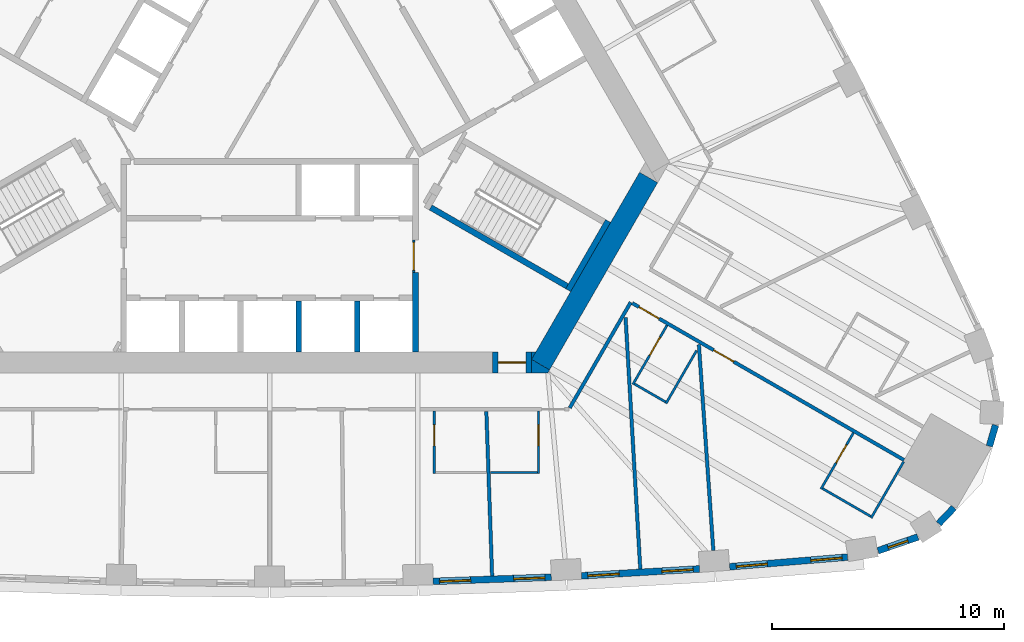
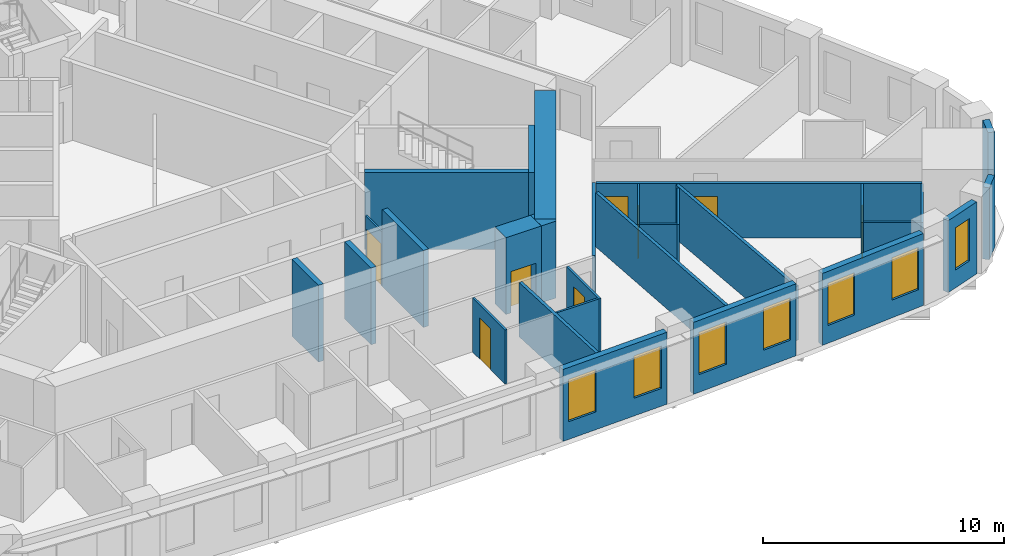
# One storey, part 7 of 13: 30 walls, 8 doors, 7 windows, 15 openings.
"""IFC4 building model written with IfcOpenShell, lengths in metres."""

import ifcopenshell
import ifcopenshell.guid

model = None  # the IFC model being written
_history = None  # IfcOwnerHistory: only IFC2X3 demands one
_inside = {}  # id of a spatial element -> (the spatial element, [elements in it])
_under = {}  # id of a project, library or spatial element -> (it, [spatial elements below it])
_declared = {}  # id of a project -> (the project, [libraries it declares])
_typed = {}  # id of a type object -> (the type object, [elements of that type])
_made_of = {}  # id of a material, layer set ... -> (it, [elements and type objects made of it])


def new_model(schema):
    """Start an empty IFC model of exactly this schema.

    Asked for "IFC4X3", IfcOpenShell would pick the latest addendum, in which some entities
    have other attributes; the version numbers below select the first issue.
    IFC2X3 requires an IfcOwnerHistory on every rooted entity: one is made here for all.
    """
    global model, _history
    if schema == "IFC4X3":
        model = ifcopenshell.file(schema_version=(4, 3, 0, 0))
    else:
        model = ifcopenshell.file(schema=schema)
    _inside.clear()
    _under.clear()
    _declared.clear()
    _typed.clear()
    _made_of.clear()
    _history = None
    if model.schema == "IFC2X3":
        org = make("IfcOrganization", Name="unknown")
        user = make(
            "IfcPersonAndOrganization",
            ThePerson=make("IfcPerson", FamilyName="unknown"),
            TheOrganization=org,
        )
        app = make(
            "IfcApplication",
            ApplicationDeveloper=org,
            Version="unknown",
            ApplicationFullName="unknown",
            ApplicationIdentifier="unknown",
        )
        _history = make(
            "IfcOwnerHistory",
            OwningUser=user,
            OwningApplication=app,
            ChangeAction="ADDED",
            CreationDate=0,
        )
    return model


def make(cls, **values):
    """One entity of the class cls with the attributes given. An attribute that is None is left unset."""
    return model.create_entity(
        cls, **{name: value for name, value in values.items() if value is not None}
    )


def rooted(cls, **values):
    """An entity with a GlobalId (a new one), such as an element, a storey or a relation."""
    return make(cls, GlobalId=ifcopenshell.guid.new(), OwnerHistory=_history, **values)


def si_unit(unit_type, name, prefix=None):
    """IfcSIUnit, for example si_unit("LENGTHUNIT", "METRE", prefix="MILLI")."""
    return make("IfcSIUnit", UnitType=unit_type, Prefix=prefix, Name=name)


def assignment(units):
    """IfcUnitAssignment: the units of a project."""
    return None if units is None else make("IfcUnitAssignment", Units=units)


def point(xyz):
    """IfcCartesianPoint."""
    return None if xyz is None else make("IfcCartesianPoint", Coordinates=xyz)


def direction(xyz):
    """IfcDirection."""
    return None if xyz is None else make("IfcDirection", DirectionRatios=xyz)


def frame(location, z_axis=None, x_axis=None):
    """IfcAxis2Placement3D, a coordinate frame: its origin and axes. An axis left out is left unset."""
    return make(
        "IfcAxis2Placement3D",
        Location=point(location),
        Axis=direction(z_axis),
        RefDirection=direction(x_axis),
    )


def frame_2d(location, x_axis=None):
    """IfcAxis2Placement2D, a coordinate frame in the plane: its origin and x axis."""
    return make(
        "IfcAxis2Placement2D", Location=point(location), RefDirection=direction(x_axis)
    )


def origin():
    """The frame at (0, 0, 0) with its axes left unset."""
    return frame((0.0, 0.0, 0.0))


def place(relative_to, where):
    """IfcLocalPlacement: puts the frame where relative to a parent placement (None: the world)."""
    return make(
        "IfcLocalPlacement", PlacementRelTo=relative_to, RelativePlacement=where
    )


def context(
    kind, dimensions, precision=None, world=None, true_north=None, identifier=None
):
    """IfcGeometricRepresentationContext, for example the 3D "Model" context."""
    return make(
        "IfcGeometricRepresentationContext",
        ContextIdentifier=identifier,
        ContextType=kind,
        CoordinateSpaceDimension=dimensions,
        Precision=precision,
        WorldCoordinateSystem=world,
        TrueNorth=true_north,
    )


def subcontext(parent, identifier, kind, view, scale=None):
    """IfcGeometricRepresentationSubContext, for example "Body" below "Model"."""
    return make(
        "IfcGeometricRepresentationSubContext",
        ContextIdentifier=identifier,
        ContextType=kind,
        ParentContext=parent,
        TargetScale=scale,
        TargetView=view,
    )


def project(units=None, contexts=None):
    """IfcProject with its units and contexts."""
    return rooted(
        "IfcProject",
        Name="project",
        RepresentationContexts=contexts,
        UnitsInContext=assignment(units),
    )


def spatial(cls, under=None, at=None, **own):
    """A site, building, storey or space (cls), placed at a placement, below another one or the project."""
    s = rooted(cls, ObjectPlacement=at, **own)
    if under is not None:
        _under.setdefault(under.id(), (under, []))[1].append(s)
    return s


def polyline(points):
    """IfcPolyline through the points."""
    return make("IfcPolyline", Points=[point(p) for p in points])


def profile(cls, at=None, kind="AREA", **sizes):
    """A parametric profile (cls). Its sizes go by their IFC names, for example OverallWidth=200.0."""
    return make(cls, ProfileType=kind, Position=at, **sizes)


def rectangle(**sizes):
    """IfcRectangleProfileDef."""
    return profile("IfcRectangleProfileDef", **sizes)


def outline(outer, holes=None, kind="AREA"):
    """IfcArbitraryClosedProfileDef: a profile drawn as a closed curve; with holes, ...WithVoids."""
    if holes is None:
        return make("IfcArbitraryClosedProfileDef", ProfileType=kind, OuterCurve=outer)
    return make(
        "IfcArbitraryProfileDefWithVoids",
        ProfileType=kind,
        OuterCurve=outer,
        InnerCurves=holes,
    )


def extrude(swept, where, along, depth):
    """IfcExtrudedAreaSolid: the profile swept, set in the frame where, extruded along a direction by depth."""
    return make(
        "IfcExtrudedAreaSolid",
        SweptArea=swept,
        Position=where,
        ExtrudedDirection=direction(along),
        Depth=depth,
    )


def shape(context_of_items, identifier, shape_type, items):
    """IfcShapeRepresentation: the items that make up one representation, for example the "Body"."""
    return make(
        "IfcShapeRepresentation",
        ContextOfItems=context_of_items,
        RepresentationIdentifier=identifier,
        RepresentationType=shape_type,
        Items=items,
    )


def material(Name=None, Category=None):
    """IfcMaterial."""
    return make("IfcMaterial", Name=Name, Category=Category)


def layer(
    of_material, thickness, ventilated=None, Name=None, Category=None, Priority=None
):
    """IfcMaterialLayer: one layer of a wall or slab, of a material (None: an air gap)."""
    return make(
        "IfcMaterialLayer",
        Material=of_material,
        LayerThickness=thickness,
        IsVentilated=ventilated,
        Name=Name,
        Category=Category,
        Priority=Priority,
    )


def layer_set(layers, Name=None):
    """IfcMaterialLayerSet."""
    return make("IfcMaterialLayerSet", MaterialLayers=layers, LayerSetName=Name)


def made_of(thing, what):
    """Note that an element or type object is made of a material, layer set ...; save() writes the relation."""
    if what is not None:
        _made_of.setdefault(what.id(), (what, []))[1].append(thing)
    return thing


def type_object(cls, material=None, **own):
    """A type object (cls), such as IfcWallType, which elements share."""
    return made_of(rooted(cls, **own), material)


def element(
    cls,
    number,
    at=None,
    inside=None,
    cuts=None,
    type_object=None,
    material=None,
    context=None,
    identifier="Body",
    shape_type=None,
    held_by="IfcProductDefinitionShape",
    body=None,
    shapes=None,
    **own,
):
    """One element of the class cls, such as IfcWall. Its Tag is "e" and its number.

    at: its placement. inside: the storey or other place that contains it. cuts: it is an
    opening in that element (IfcRelVoidsElement). A single representation is given by context,
    identifier, shape_type and body (its items); several are given by shapes. held_by: the class
    of the entity that holds the representations. save() writes the other relations.
    """
    e = rooted(cls, Tag="e%d" % number, ObjectPlacement=at, **own)
    if body is not None:
        shapes = [shape(context, identifier, shape_type, body)]
    if shapes is not None:
        e.Representation = make(held_by, Representations=shapes)
    if inside is not None:
        _inside.setdefault(inside.id(), (inside, []))[1].append(e)
    if cuts is not None:
        rooted(
            "IfcRelVoidsElement", RelatingBuildingElement=cuts, RelatedOpeningElement=e
        )
    if type_object is not None:
        _typed.setdefault(type_object.id(), (type_object, []))[1].append(e)
    return made_of(e, material)


def fill(opening, filler):
    """IfcRelFillsElement: the door or window that sits in an opening."""
    return rooted(
        "IfcRelFillsElement",
        RelatingOpeningElement=opening,
        RelatedBuildingElement=filler,
    )


def aggregate(whole, parts):
    """IfcRelAggregates: a whole, such as a stair, and the parts it consists of."""
    return rooted("IfcRelAggregates", RelatingObject=whole, RelatedObjects=parts)


def save(model, path):
    """Write the relations noted so far, then the file.

    IfcRelAggregates (storeys below a building ...), IfcRelContainedInSpatialStructure (elements
    in a storey), IfcRelDefinesByType, IfcRelAssociatesMaterial and IfcRelDeclares: one each for
    every whole, place, type object, material and project.
    """
    for whole, parts in _under.values():
        aggregate(whole, parts)
    for where, things in _inside.values():
        rooted(
            "IfcRelContainedInSpatialStructure",
            RelatedElements=things,
            RelatingStructure=where,
        )
    for kind, things in _typed.values():
        rooted("IfcRelDefinesByType", RelatedObjects=things, RelatingType=kind)
    for what, things in _made_of.values():
        rooted("IfcRelAssociatesMaterial", RelatedObjects=things, RelatingMaterial=what)
    for by, libraries in _declared.values():
        rooted("IfcRelDeclares", RelatingContext=by, RelatedDefinitions=libraries)
    model.write(path)


model = new_model("IFC4")

# Units and contexts
model_context = context("Model", 3, precision=1e-05, world=origin(), true_north=direction((0.0, 1.0)))
body_context = subcontext(model_context, "Body", "Model", "MODEL_VIEW")
ifc_project = project(units=[si_unit("LENGTHUNIT", "METRE"), si_unit("AREAUNIT", "SQUARE_METRE"), si_unit("VOLUMEUNIT", "CUBIC_METRE"), si_unit("PLANEANGLEUNIT", "RADIAN"), si_unit("MASSUNIT", "GRAM", prefix="KILO")], contexts=[model_context])

# Site, building, storey
site_placement = place(None, origin())
site = spatial("IfcSite", under=ifc_project, at=site_placement, CompositionType="ELEMENT")
building_placement = place(site_placement, origin())
building = spatial("IfcBuilding", under=site, at=building_placement, Name="Mestral Congress Tower", CompositionType="ELEMENT")
storey_placement = place(building_placement, frame((0.0, 0.0, 83.699951171875)))
storey = spatial("IfcBuildingStorey", under=building, at=storey_placement, Name="L19", CompositionType="ELEMENT", Elevation=83.699951171875)

# Wall, opening, door
ifc_material_1 = material(Name="Fire-rated board partition")
ifc_layer_1 = layer(ifc_material_1, 0.090087890625)
ifc_layer_set_1 = layer_set([ifc_layer_1], Name="Fire-rated board partition")
wall_type_1 = type_object("IfcWallType", Name="Core partition 150 door-wall 90", PredefinedType="PARTITIONING", material=ifc_layer_set_1)
wall_1_placement = place(storey_placement, frame((6.219970703125, -7.266357421875, 0.0), z_axis=(0.0, 0.0, 1.0), x_axis=(0.0, -1.0, 0.0)))
wall_1 = element("IfcWall", 1, at=wall_1_placement, inside=storey, type_object=wall_type_1, Name="L19 door wall", PredefinedType="PARTITIONING", context=body_context, shape_type="SweptSolid", body=[
    extrude(rectangle(XDim=1.400146484375, YDim=0.090087890625, at=frame_2d((0.7001953125, 0.0))), origin(), (0.0, 0.0, 1.0), 2.75),
])
opening_1_placement = place(wall_1_placement, frame((0.10009765625, 0.0, 0.0)))
opening_1 = element("IfcOpeningElement", 2, at=opening_1_placement, cuts=wall_1, Name="Opening LB0-WL1", PredefinedType="OPENING", context=body_context, shape_type="SweptSolid", body=[
    extrude(rectangle(XDim=1.199951171875, YDim=2.10009765625, at=frame_2d((0.60009765625, 1.050048828125))), frame((0.0, 0.054931640625, 0.0), z_axis=(0.0, -1.0, 0.0), x_axis=(1.0, 0.0, 0.0)), (0.0, 0.0, 1.0), 0.110107421875),
])
ifc_material_2 = material(Name="Fire-rated steel door set", Category="steel")
door_type_1 = type_object("IfcDoorType", Name="Core door LB 1200x2100", OperationType="SINGLE_SWING_LEFT", PredefinedType="DOOR", material=ifc_material_2)
door_1_placement = place(opening_1_placement, origin())
door_1 = element("IfcDoor", 3, at=door_1_placement, inside=storey, type_object=door_type_1, Name="Door LB0-WL1", OperationType="SINGLE_SWING_LEFT", OverallHeight=2.10009765625, OverallWidth=1.199951171875, PredefinedType="DOOR", context=body_context, shape_type="SweptSolid", body=[
    extrude(rectangle(XDim=1.199951171875, YDim=2.10009765625, at=frame_2d((0.60009765625, 1.050048828125))), frame((0.0, 0.02490234375, 0.0), z_axis=(0.0, -1.0, 0.0), x_axis=(1.0, 0.0, 0.0)), (0.0, 0.0, 1.0), 0.050048828125),
])
fill(opening_1, door_1)

# Walls
ifc_material_3 = material(Name="Concrete C60/75", Category="concrete")
ifc_layer_2 = layer(ifc_material_3, 0.89990234375)
ifc_layer_set_2 = layer_set([ifc_layer_2], Name="Concrete C60/75")
wall_type_2 = type_object("IfcWallType", Name="Core wall RC 900", PredefinedType="SOLIDWALL", material=ifc_layer_set_2)
wall_2_placement = place(storey_placement, frame((11.69482421875, -12.643798828125, 0.0), z_axis=(0.0, 0.0, 1.0), x_axis=(0.500010229568, 0.86601949766, 0.0)))
element("IfcWall", 4, at=wall_2_placement, inside=storey, type_object=wall_type_2, Name="L19 core wall", PredefinedType="SOLIDWALL", context=body_context, shape_type="SweptSolid", body=[
    extrude(rectangle(XDim=9.326416015625, YDim=0.89990234375, at=frame_2d((4.6630859375, 0.0))), origin(), (0.0, 0.0, 1.0), 3.900146484375),
])
placement = place(storey_placement, origin())
element("IfcWall", 5, at=placement, inside=storey, type_object=wall_type_2, Name="L19 core wall", PredefinedType="SOLIDWALL", context=body_context, shape_type="SweptSolid", body=[
    extrude(outline(polyline([(12.0087890625, -13.0), (11.31201171875, -13.0), (11.31201171875, -12.425048828125), (12.08349609375, -12.87060546875), (12.0087890625, -13.0)])), origin(), (0.0, 0.0, 1.0), 3.900146484375),
])
element("IfcWall", 6, at=placement, inside=storey, type_object=wall_type_2, Name="L19 core wall", PredefinedType="SOLIDWALL", context=body_context, shape_type="SweptSolid", body=[
    extrude(outline(polyline([(11.4892578125, -12.10009765625), (11.31201171875, -12.4072265625), (11.31201171875, -12.10009765625), (11.4892578125, -12.10009765625)])), origin(), (0.0, 0.0, 1.0), 3.900146484375),
])

# Wall, opening, door
wall_5_placement = place(storey_placement, frame((11.311767578125, -12.550048828125, 0.0), z_axis=(0.0, 0.0, 1.0), x_axis=(-1.0, 0.0, 0.0)))
wall_5 = element("IfcWall", 7, at=wall_5_placement, inside=storey, type_object=wall_type_2, Name="L19 door wall", PredefinedType="SOLIDWALL", context=body_context, shape_type="SweptSolid", body=[
    extrude(rectangle(XDim=1.699951171875, YDim=0.89990234375, at=frame_2d((0.85009765625, 0.0))), origin(), (0.0, 0.0, 1.0), 3.900146484375),
])
opening_2_placement = place(wall_5_placement, frame((0.25, 0.0, 0.0)))
opening_2 = element("IfcOpeningElement", 8, at=opening_2_placement, cuts=wall_5, Name="Opening XD1", PredefinedType="OPENING", context=body_context, shape_type="SweptSolid", body=[
    extrude(rectangle(XDim=1.199951171875, YDim=2.10009765625, at=frame_2d((0.60009765625, 1.050048828125))), frame((0.0, 0.4599609375, 0.0), z_axis=(0.0, -1.0, 0.0), x_axis=(1.0, 0.0, 0.0)), (0.0, 0.0, 1.0), 0.919921875),
])
door_type_2 = type_object("IfcDoorType", Name="Core door XD 1200x2100", OperationType="SINGLE_SWING_LEFT", PredefinedType="DOOR", material=ifc_material_2)
door_2_placement = place(opening_2_placement, origin())
door_2 = element("IfcDoor", 9, at=door_2_placement, inside=storey, type_object=door_type_2, Name="Door XD1", OperationType="SINGLE_SWING_LEFT", OverallHeight=2.10009765625, OverallWidth=1.199951171875, PredefinedType="DOOR", context=body_context, shape_type="SweptSolid", body=[
    extrude(rectangle(XDim=1.199951171875, YDim=2.10009765625, at=frame_2d((0.60009765625, 1.050048828125))), frame((0.0, 0.02490234375, 0.0), z_axis=(0.0, -1.0, 0.0), x_axis=(1.0, 0.0, 0.0)), (0.0, 0.0, 1.0), 0.050048828125),
])
fill(opening_2, door_2)

# Wall, openings, windows
ifc_material_4 = material(Name="Precast concrete C40/50 with limestone facing", Category="masonry")
ifc_layer_3 = layer(ifc_material_4, 0.2900390625)
ifc_layer_set_3 = layer_set([ifc_layer_3], Name="Precast concrete C40/50 with limestone facing")
wall_type_3 = type_object("IfcWallType", Name="Facade stone wall 290", PredefinedType="SOLIDWALL", material=ifc_layer_set_3)
wall_6_placement = place(storey_placement, frame((7.059326171875, -22.000732421875, 0.0), z_axis=(0.0, 0.0, 1.0), x_axis=(0.999385993957, 0.035037623812, 0.0)))
wall_6 = element("IfcWall", 10, at=wall_6_placement, inside=storey, type_object=wall_type_3, Name="Facade wall F0-05", PredefinedType="SOLIDWALL", context=body_context, shape_type="SweptSolid", body=[
    extrude(rectangle(XDim=5.1005859375, YDim=0.2900390625, at=frame_2d((2.55029296875, 0.0))), origin(), (0.0, 0.0, 1.0), 3.650146484375),
])
opening_3_placement = place(wall_6_placement, frame((0.272705078125, 0.0, 0.89990234375)))
opening_3 = element("IfcOpeningElement", 11, at=opening_3_placement, cuts=wall_6, Name="Opening W2", PredefinedType="OPENING", context=body_context, shape_type="SweptSolid", body=[
    extrude(rectangle(XDim=1.35009765625, YDim=2.14990234375, at=frame_2d((0.675048828125, 1.074951171875))), frame((0.0, 0.155029296875, 0.0), z_axis=(0.0, -1.0, 0.0), x_axis=(1.0, 0.0, 0.0)), (0.0, 0.0, 1.0), 0.31005859375),
])
opening_4_placement = place(wall_6_placement, frame((3.477783203125, 0.0, 0.89990234375)))
opening_4 = element("IfcOpeningElement", 12, at=opening_4_placement, cuts=wall_6, Name="Opening W2", PredefinedType="OPENING", context=body_context, shape_type="SweptSolid", body=[
    extrude(rectangle(XDim=1.35009765625, YDim=2.14990234375, at=frame_2d((0.675048828125, 1.074951171875))), frame((0.0, 0.155029296875, 0.0), z_axis=(0.0, -1.0, 0.0), x_axis=(1.0, 0.0, 0.0)), (0.0, 0.0, 1.0), 0.31005859375),
])
ifc_material_5 = material(Name="Clear low-emissivity double glazing", Category="glass")
window_type_1 = type_object("IfcWindowType", Name="Facade punched window 1350 x 2150 sill 900", PartitioningType="DOUBLE_PANEL_VERTICAL", PredefinedType="WINDOW", material=ifc_material_5)
window_1_placement = place(opening_3_placement, origin())
window_1 = element("IfcWindow", 13, at=window_1_placement, inside=storey, type_object=window_type_1, Name="Window F0-05a", OverallHeight=2.14990234375, OverallWidth=1.35009765625, PartitioningType="DOUBLE_PANEL_VERTICAL", PredefinedType="WINDOW", context=body_context, shape_type="SweptSolid", body=[
    extrude(rectangle(XDim=1.35009765625, YDim=2.14990234375, at=frame_2d((0.675048828125, 1.074951171875))), frame((0.0, 0.01513671875, 0.0), z_axis=(0.0, -1.0, 0.0), x_axis=(1.0, 0.0, 0.0)), (0.0, 0.0, 1.0), 0.06005859375),
])
fill(opening_3, window_1)
window_2_placement = place(opening_4_placement, origin())
window_2 = element("IfcWindow", 14, at=window_2_placement, inside=storey, type_object=window_type_1, Name="Window F0-05b", OverallHeight=2.14990234375, OverallWidth=1.35009765625, PartitioningType="DOUBLE_PANEL_VERTICAL", PredefinedType="WINDOW", context=body_context, shape_type="SweptSolid", body=[
    extrude(rectangle(XDim=1.35009765625, YDim=2.14990234375, at=frame_2d((0.675048828125, 1.074951171875))), frame((0.0, 0.01513671875, 0.0), z_axis=(0.0, -1.0, 0.0), x_axis=(1.0, 0.0, 0.0)), (0.0, 0.0, 1.0), 0.06005859375),
])
fill(opening_4, window_2)

wall_7_placement = place(storey_placement, frame((13.4619140625, -21.760986328125, 0.0), z_axis=(0.0, 0.0, 1.0), x_axis=(0.998290511436, 0.058447025388, 0.0)))
wall_7 = element("IfcWall", 15, at=wall_7_placement, inside=storey, type_object=wall_type_3, Name="Facade wall F0-06", PredefinedType="SOLIDWALL", context=body_context, shape_type="SweptSolid", body=[
    extrude(rectangle(XDim=5.100341796875, YDim=0.2900390625, at=frame_2d((2.55029296875, 0.0))), origin(), (0.0, 0.0, 1.0), 3.650146484375),
])
opening_5_placement = place(wall_7_placement, frame((0.2724609375, 0.0, 0.89990234375)))
opening_5 = element("IfcOpeningElement", 16, at=opening_5_placement, cuts=wall_7, Name="Opening W2", PredefinedType="OPENING", context=body_context, shape_type="SweptSolid", body=[
    extrude(rectangle(XDim=1.35009765625, YDim=2.14990234375, at=frame_2d((0.675048828125, 1.074951171875))), frame((0.0, 0.155029296875, 0.0), z_axis=(0.0, -1.0, 0.0), x_axis=(1.0, 0.0, 0.0)), (0.0, 0.0, 1.0), 0.31005859375),
])
opening_6_placement = place(wall_7_placement, frame((3.477783203125, 0.0, 0.89990234375)))
opening_6 = element("IfcOpeningElement", 17, at=opening_6_placement, cuts=wall_7, Name="Opening W2", PredefinedType="OPENING", context=body_context, shape_type="SweptSolid", body=[
    extrude(rectangle(XDim=1.35009765625, YDim=2.14990234375, at=frame_2d((0.675048828125, 1.074951171875))), frame((0.0, 0.155029296875, 0.0), z_axis=(0.0, -1.0, 0.0), x_axis=(1.0, 0.0, 0.0)), (0.0, 0.0, 1.0), 0.31005859375),
])
window_3_placement = place(opening_5_placement, origin())
window_3 = element("IfcWindow", 18, at=window_3_placement, inside=storey, type_object=window_type_1, Name="Window F0-06a", OverallHeight=2.14990234375, OverallWidth=1.35009765625, PartitioningType="DOUBLE_PANEL_VERTICAL", PredefinedType="WINDOW", context=body_context, shape_type="SweptSolid", body=[
    extrude(rectangle(XDim=1.35009765625, YDim=2.14990234375, at=frame_2d((0.675048828125, 1.074951171875))), frame((0.0, 0.01513671875, 0.0), z_axis=(0.0, -1.0, 0.0), x_axis=(1.0, 0.0, 0.0)), (0.0, 0.0, 1.0), 0.06005859375),
])
fill(opening_5, window_3)
window_4_placement = place(opening_6_placement, origin())
window_4 = element("IfcWindow", 19, at=window_4_placement, inside=storey, type_object=window_type_1, Name="Window F0-06b", OverallHeight=2.14990234375, OverallWidth=1.35009765625, PartitioningType="DOUBLE_PANEL_VERTICAL", PredefinedType="WINDOW", context=body_context, shape_type="SweptSolid", body=[
    extrude(rectangle(XDim=1.35009765625, YDim=2.14990234375, at=frame_2d((0.675048828125, 1.074951171875))), frame((0.0, 0.01513671875, 0.0), z_axis=(0.0, -1.0, 0.0), x_axis=(1.0, 0.0, 0.0)), (0.0, 0.0, 1.0), 0.06005859375),
])
fill(opening_6, window_4)

wall_8_placement = place(storey_placement, frame((19.856689453125, -21.37109375, 0.0), z_axis=(0.0, 0.0, 1.0), x_axis=(0.99665273362, 0.081751627308, 0.0)))
wall_8 = element("IfcWall", 20, at=wall_8_placement, inside=storey, type_object=wall_type_3, Name="Facade wall F0-07", PredefinedType="SOLIDWALL", context=body_context, shape_type="SweptSolid", body=[
    extrude(rectangle(XDim=5.106689453125, YDim=0.2900390625, at=frame_2d((2.55322265625, 0.0))), origin(), (0.0, 0.0, 1.0), 3.650146484375),
])
opening_7_placement = place(wall_8_placement, frame((0.285400390625, 0.0, 0.89990234375)))
opening_7 = element("IfcOpeningElement", 21, at=opening_7_placement, cuts=wall_8, Name="Opening W2", PredefinedType="OPENING", context=body_context, shape_type="SweptSolid", body=[
    extrude(rectangle(XDim=1.35009765625, YDim=2.14990234375, at=frame_2d((0.675048828125, 1.074951171875))), frame((0.0, 0.155029296875, 0.0), z_axis=(0.0, -1.0, 0.0), x_axis=(1.0, 0.0, 0.0)), (0.0, 0.0, 1.0), 0.31005859375),
])
opening_8_placement = place(wall_8_placement, frame((3.51611328125, 0.0, 0.89990234375)))
opening_8 = element("IfcOpeningElement", 22, at=opening_8_placement, cuts=wall_8, Name="Opening W2", PredefinedType="OPENING", context=body_context, shape_type="SweptSolid", body=[
    extrude(rectangle(XDim=1.35009765625, YDim=2.14990234375, at=frame_2d((0.675048828125, 1.074951171875))), frame((0.0, 0.155029296875, 0.0), z_axis=(0.0, -1.0, 0.0), x_axis=(1.0, 0.0, 0.0)), (0.0, 0.0, 1.0), 0.31005859375),
])
window_5_placement = place(opening_7_placement, origin())
window_5 = element("IfcWindow", 23, at=window_5_placement, inside=storey, type_object=window_type_1, Name="Window F0-07a", OverallHeight=2.14990234375, OverallWidth=1.35009765625, PartitioningType="DOUBLE_PANEL_VERTICAL", PredefinedType="WINDOW", context=body_context, shape_type="SweptSolid", body=[
    extrude(rectangle(XDim=1.35009765625, YDim=2.14990234375, at=frame_2d((0.675048828125, 1.074951171875))), frame((0.0, 0.01513671875, 0.0), z_axis=(0.0, -1.0, 0.0), x_axis=(1.0, 0.0, 0.0)), (0.0, 0.0, 1.0), 0.06005859375),
])
fill(opening_7, window_5)
window_6_placement = place(opening_8_placement, origin())
window_6 = element("IfcWindow", 24, at=window_6_placement, inside=storey, type_object=window_type_1, Name="Window F0-07b", OverallHeight=2.14990234375, OverallWidth=1.35009765625, PartitioningType="DOUBLE_PANEL_VERTICAL", PredefinedType="WINDOW", context=body_context, shape_type="SweptSolid", body=[
    extrude(rectangle(XDim=1.35009765625, YDim=2.14990234375, at=frame_2d((0.675048828125, 1.074951171875))), frame((0.0, 0.01513671875, 0.0), z_axis=(0.0, -1.0, 0.0), x_axis=(1.0, 0.0, 0.0)), (0.0, 0.0, 1.0), 0.06005859375),
])
fill(opening_8, window_6)

# Wall, opening, window
wall_9_placement = place(storey_placement, frame((26.260986328125, -20.67919921875, 0.0), z_axis=(0.0, 0.0, 1.0), x_axis=(0.945385815453, 0.325953462844, 0.0)))
wall_9 = element("IfcWall", 25, at=wall_9_placement, inside=storey, type_object=wall_type_3, Name="Facade wall K0-0", PredefinedType="SOLIDWALL", context=body_context, shape_type="SweptSolid", body=[
    extrude(rectangle(XDim=1.8193359375, YDim=0.2900390625, at=frame_2d((0.90966796875, 0.0))), origin(), (0.0, 0.0, 1.0), 3.650146484375),
])
opening_9_placement = place(wall_9_placement, frame((0.459716796875, 0.0, 0.89990234375)))
opening_9 = element("IfcOpeningElement", 26, at=opening_9_placement, cuts=wall_9, Name="Opening W3", PredefinedType="OPENING", context=body_context, shape_type="SweptSolid", body=[
    extrude(rectangle(XDim=0.89990234375, YDim=2.14990234375, at=frame_2d((0.449951171875, 1.074951171875))), frame((0.0, 0.155029296875, 0.0), z_axis=(0.0, -1.0, 0.0), x_axis=(1.0, 0.0, 0.0)), (0.0, 0.0, 1.0), 0.31005859375),
])
window_type_2 = type_object("IfcWindowType", Name="Facade punched window 900 x 2150 sill 900", PartitioningType="SINGLE_PANEL", PredefinedType="WINDOW", material=ifc_material_5)
window_7_placement = place(opening_9_placement, origin())
window_7 = element("IfcWindow", 27, at=window_7_placement, inside=storey, type_object=window_type_2, Name="Window K0-0", OverallHeight=2.14990234375, OverallWidth=0.89990234375, PartitioningType="SINGLE_PANEL", PredefinedType="WINDOW", context=body_context, shape_type="SweptSolid", body=[
    extrude(rectangle(XDim=0.89990234375, YDim=2.14990234375, at=frame_2d((0.449951171875, 1.074951171875))), frame((0.0, 0.01513671875, 0.0), z_axis=(0.0, -1.0, 0.0), x_axis=(1.0, 0.0, 0.0)), (0.0, 0.0, 1.0), 0.06005859375),
])
fill(opening_9, window_7)

# Walls
wall_10_placement = place(storey_placement, frame((28.88037109375, -19.50927734375, 0.0), z_axis=(0.0, 0.0, 1.0), x_axis=(0.690414427296, 0.723414071319, 0.0)))
element("IfcWall", 28, at=wall_10_placement, inside=storey, type_object=wall_type_3, Name="Facade wall K0-1", PredefinedType="SOLIDWALL", context=body_context, shape_type="SweptSolid", body=[
    extrude(rectangle(XDim=0.947021484375, YDim=0.2900390625, at=frame_2d((0.4736328125, 0.0))), origin(), (0.0, 0.0, 1.0), 3.650146484375),
])
wall_11_placement = place(storey_placement, frame((31.069091796875, -16.165283203125, 0.0), z_axis=(0.0, 0.0, 1.0), x_axis=(0.281454582132, 0.95957455062, 0.0)))
element("IfcWall", 29, at=wall_11_placement, inside=storey, type_object=wall_type_3, Name="Facade wall K0-2", PredefinedType="SOLIDWALL", context=body_context, shape_type="SweptSolid", body=[
    extrude(rectangle(XDim=0.947265625, YDim=0.2900390625, at=frame_2d((0.4736328125, 0.0))), origin(), (0.0, 0.0, 1.0), 3.650146484375),
])

# Wall, opening, door
ifc_material_6 = material(Name="Gypsum board partition on metal studs with mineral wool", Category="composite")
ifc_layer_4 = layer(ifc_material_6, 0.10009765625)
ifc_layer_set_4 = layer_set([ifc_layer_4], Name="Gypsum board partition on metal studs with mineral wool")
wall_type_4 = type_object("IfcWallType", Name="Hotel partition wall 100", PredefinedType="PARTITIONING", material=ifc_layer_set_4)
wall_12_placement = place(storey_placement, frame((7.100341796875, -14.64990234375, 0.0), z_axis=(0.0, 0.0, 1.0), x_axis=(0.0, -1.0, 0.0)))
wall_12 = element("IfcWall", 30, at=wall_12_placement, inside=storey, type_object=wall_type_4, Name="L19-h-pod06a", PredefinedType="PARTITIONING", context=body_context, shape_type="SweptSolid", body=[
    extrude(rectangle(XDim=2.7001953125, YDim=0.10009765625, at=frame_2d((1.35009765625, 0.0))), origin(), (0.0, 0.0, 1.0), 2.75),
])
opening_10_placement = place(wall_12_placement, frame((0.60009765625, 0.0, 0.0)))
opening_10 = element("IfcOpeningElement", 31, at=opening_10_placement, cuts=wall_12, Name="Opening H06-011", PredefinedType="OPENING", context=body_context, shape_type="SweptSolid", body=[
    extrude(rectangle(XDim=0.89990234375, YDim=2.10009765625, at=frame_2d((0.449951171875, 1.050048828125))), frame((0.0, 0.06005859375, 0.0), z_axis=(0.0, -1.0, 0.0), x_axis=(1.0, 0.0, 0.0)), (0.0, 0.0, 1.0), 0.1201171875),
])
ifc_material_7 = material(Name="Timber veneer door leaf in timber frame", Category="wood")
door_type_3 = type_object("IfcDoorType", Name="Bathroom door 900", OperationType="SINGLE_SWING_LEFT", PredefinedType="DOOR", material=ifc_material_7)
door_3_placement = place(opening_10_placement, origin())
door_3 = element("IfcDoor", 32, at=door_3_placement, inside=storey, type_object=door_type_3, Name="L19-h-d011", OperationType="SINGLE_SWING_RIGHT", OverallHeight=2.10009765625, OverallWidth=0.89990234375, PredefinedType="DOOR", context=body_context, shape_type="SweptSolid", body=[
    extrude(rectangle(XDim=0.89990234375, YDim=2.10009765625, at=frame_2d((0.449951171875, 1.050048828125))), frame((0.0, 0.02490234375, 0.0), z_axis=(0.0, -1.0, 0.0), x_axis=(1.0, 0.0, 0.0)), (0.0, 0.0, 1.0), 0.050048828125),
])
fill(opening_10, door_3)

wall_13_placement = place(storey_placement, frame((11.606689453125, -17.35009765625, 0.0), z_axis=(0.0, 0.0, 1.0), x_axis=(0.0, 1.0, 0.0)))
wall_13 = element("IfcWall", 33, at=wall_13_placement, inside=storey, type_object=wall_type_4, Name="L19-h-pod07a", PredefinedType="PARTITIONING", context=body_context, shape_type="SweptSolid", body=[
    extrude(rectangle(XDim=2.7001953125, YDim=0.10009765625, at=frame_2d((1.35009765625, 0.0))), origin(), (0.0, 0.0, 1.0), 2.75),
])
opening_11_placement = place(wall_13_placement, frame((1.199951171875, 0.0, 0.0)))
opening_11 = element("IfcOpeningElement", 34, at=opening_11_placement, cuts=wall_13, Name="Opening H06-013", PredefinedType="OPENING", context=body_context, shape_type="SweptSolid", body=[
    extrude(rectangle(XDim=0.89990234375, YDim=2.10009765625, at=frame_2d((0.449951171875, 1.050048828125))), frame((0.0, 0.06005859375, 0.0), z_axis=(0.0, -1.0, 0.0), x_axis=(1.0, 0.0, 0.0)), (0.0, 0.0, 1.0), 0.1201171875),
])
door_4_placement = place(opening_11_placement, origin())
door_4 = element("IfcDoor", 35, at=door_4_placement, inside=storey, type_object=door_type_3, Name="L19-h-d013", OperationType="SINGLE_SWING_LEFT", OverallHeight=2.10009765625, OverallWidth=0.89990234375, PredefinedType="DOOR", context=body_context, shape_type="SweptSolid", body=[
    extrude(rectangle(XDim=0.89990234375, YDim=2.10009765625, at=frame_2d((0.449951171875, 1.050048828125))), frame((0.0, 0.02490234375, 0.0), z_axis=(0.0, -1.0, 0.0), x_axis=(1.0, 0.0, 0.0)), (0.0, 0.0, 1.0), 0.050048828125),
])
fill(opening_11, door_4)

# Wall
wall_14_placement = place(storey_placement, frame((11.556640625, -17.300048828125, 0.0), z_axis=(0.0, 0.0, 1.0), x_axis=(-1.0, 0.0, 0.0)))
element("IfcWall", 36, at=wall_14_placement, inside=storey, type_object=wall_type_4, Name="L19-h-pod07b", PredefinedType="PARTITIONING", context=body_context, shape_type="SweptSolid", body=[
    extrude(rectangle(XDim=2.030029296875, YDim=0.10009765625, at=frame_2d((1.01513671875, 0.0))), origin(), (0.0, 0.0, 1.0), 2.75),
])

# Wall, opening, door
wall_15_placement = place(storey_placement, frame((17.155029296875, -10.943603515625, 0.0), z_axis=(0.0, 0.0, 1.0), x_axis=(-0.499939757307, -0.866060182126, 0.0)))
wall_15 = element("IfcWall", 37, at=wall_15_placement, inside=storey, type_object=wall_type_4, Name="L19-h-pod08a", PredefinedType="PARTITIONING", context=body_context, shape_type="SweptSolid", body=[
    extrude(rectangle(XDim=2.949951171875, YDim=0.10009765625, at=frame_2d((1.47509765625, 0.0))), origin(), (0.0, 0.0, 1.0), 2.75),
])
opening_12_placement = place(wall_15_placement, frame((0.60009765625, 0.0, 0.0)))
opening_12 = element("IfcOpeningElement", 38, at=opening_12_placement, cuts=wall_15, Name="Opening H06-015", PredefinedType="OPENING", context=body_context, shape_type="SweptSolid", body=[
    extrude(rectangle(XDim=0.89990234375, YDim=2.10009765625, at=frame_2d((0.449951171875, 1.050048828125))), frame((0.0, 0.06005859375, 0.0), z_axis=(0.0, -1.0, 0.0), x_axis=(1.0, 0.0, 0.0)), (0.0, 0.0, 1.0), 0.1201171875),
])
door_5_placement = place(opening_12_placement, origin())
door_5 = element("IfcDoor", 39, at=door_5_placement, inside=storey, type_object=door_type_3, Name="L19-h-d015", OperationType="SINGLE_SWING_LEFT", OverallHeight=2.10009765625, OverallWidth=0.89990234375, PredefinedType="DOOR", context=body_context, shape_type="SweptSolid", body=[
    extrude(rectangle(XDim=0.89990234375, YDim=2.10009765625, at=frame_2d((0.449951171875, 1.050048828125))), frame((0.0, 0.02490234375, 0.0), z_axis=(0.0, -1.0, 0.0), x_axis=(1.0, 0.0, 0.0)), (0.0, 0.0, 1.0), 0.050048828125),
])
fill(opening_12, door_5)

# Walls
wall_16_placement = place(storey_placement, frame((15.748291015625, -13.480224609375, 0.0), z_axis=(0.0, 0.0, 1.0), x_axis=(0.866083307622, -0.499899694197, 0.0)))
element("IfcWall", 40, at=wall_16_placement, inside=storey, type_object=wall_type_4, Name="L19-h-pod08b", PredefinedType="PARTITIONING", context=body_context, shape_type="SweptSolid", body=[
    extrude(rectangle(XDim=1.550048828125, YDim=0.10009765625, at=frame_2d((0.77490234375, 0.0))), origin(), (0.0, 0.0, 1.0), 2.75),
])
wall_17_placement = place(storey_placement, frame((18.428955078125, -12.037109375, 0.0), z_axis=(0.0, 0.0, 1.0), x_axis=(-0.500007957085, -0.86602080971, 0.0)))
element("IfcWall", 41, at=wall_17_placement, inside=storey, type_object=wall_type_4, Name="L19-h-pod08c", PredefinedType="PARTITIONING", context=body_context, shape_type="SweptSolid", body=[
    extrude(rectangle(XDim=2.64013671875, YDim=0.10009765625, at=frame_2d((1.320068359375, 0.0))), origin(), (0.0, 0.0, 1.0), 2.75),
])

# Wall, opening, door
wall_18_placement = place(storey_placement, frame((25.200439453125, -15.588623046875, 0.0), z_axis=(0.0, 0.0, 1.0), x_axis=(-0.500011755427, -0.866018616679, 0.0)))
wall_18 = element("IfcWall", 42, at=wall_18_placement, inside=storey, type_object=wall_type_4, Name="L19-h-pod09a", PredefinedType="PARTITIONING", context=body_context, shape_type="SweptSolid", body=[
    extrude(rectangle(XDim=2.80029296875, YDim=0.10009765625, at=frame_2d((1.400146484375, 0.0))), origin(), (0.0, 0.0, 1.0), 2.75),
])
opening_13_placement = place(wall_18_placement, frame((0.60009765625, 0.0, 0.0)))
opening_13 = element("IfcOpeningElement", 43, at=opening_13_placement, cuts=wall_18, Name="Opening H06-017", PredefinedType="OPENING", context=body_context, shape_type="SweptSolid", body=[
    extrude(rectangle(XDim=0.89990234375, YDim=2.10009765625, at=frame_2d((0.449951171875, 1.050048828125))), frame((0.0, 0.06005859375, 0.0), z_axis=(0.0, -1.0, 0.0), x_axis=(1.0, 0.0, 0.0)), (0.0, 0.0, 1.0), 0.1201171875),
])
door_6_placement = place(opening_13_placement, origin())
door_6 = element("IfcDoor", 44, at=door_6_placement, inside=storey, type_object=door_type_3, Name="L19-h-d017", OperationType="SINGLE_SWING_RIGHT", OverallHeight=2.10009765625, OverallWidth=0.89990234375, PredefinedType="DOOR", context=body_context, shape_type="SweptSolid", body=[
    extrude(rectangle(XDim=0.89990234375, YDim=2.10009765625, at=frame_2d((0.449951171875, 1.050048828125))), frame((0.0, 0.02490234375, 0.0), z_axis=(0.0, -1.0, 0.0), x_axis=(1.0, 0.0, 0.0)), (0.0, 0.0, 1.0), 0.050048828125),
])
fill(opening_13, door_6)

# Walls
wall_19_placement = place(storey_placement, frame((23.86865234375, -17.995361328125, 0.0), z_axis=(0.0, 0.0, 1.0), x_axis=(0.866050077142, -0.499957262057, 0.0)))
element("IfcWall", 45, at=wall_19_placement, inside=storey, type_object=wall_type_4, Name="L19-h-pod09b", PredefinedType="PARTITIONING", context=body_context, shape_type="SweptSolid", body=[
    extrude(rectangle(XDim=2.400146484375, YDim=0.10009765625, at=frame_2d((1.2001953125, 0.0))), origin(), (0.0, 0.0, 1.0), 2.75),
])
wall_20_placement = place(storey_placement, frame((27.365478515625, -16.838623046875, 0.0), z_axis=(0.0, 0.0, 1.0), x_axis=(-0.49994636267, -0.866056369097, 0.0)))
element("IfcWall", 46, at=wall_20_placement, inside=storey, type_object=wall_type_4, Name="L19-h-pod09c", PredefinedType="PARTITIONING", context=body_context, shape_type="SweptSolid", body=[
    extrude(rectangle(XDim=2.800048828125, YDim=0.10009765625, at=frame_2d((1.39990234375, 0.0))), origin(), (0.0, 0.0, 1.0), 2.75),
])
ifc_layer_5 = layer(ifc_material_6, 0.14990234375)
ifc_layer_set_5 = layer_set([ifc_layer_5], Name="Gypsum board partition on metal studs with mineral wool")
wall_type_5 = type_object("IfcWallType", Name="Hotel partition wall 150", PredefinedType="PARTITIONING", material=ifc_layer_set_5)
wall_21_placement = place(storey_placement, frame((15.58740234375, -9.951904296875, 0.0), z_axis=(0.0, 0.0, 1.0), x_axis=(-0.500016618951, -0.866015808616, 0.0)))
element("IfcWall", 47, at=wall_21_placement, inside=storey, type_object=wall_type_5, Name="L19-h-cw14", PredefinedType="PARTITIONING", context=body_context, shape_type="SweptSolid", body=[
    extrude(rectangle(XDim=5.268310546875, YDim=0.14990234375, at=frame_2d((2.63427734375, 0.0))), origin(), (0.0, 0.0, 1.0), 2.75),
])

# Wall, openings, doors
wall_22_placement = place(storey_placement, frame((27.3857421875, -16.763916015625, 0.0), z_axis=(0.0, 0.0, 1.0), x_axis=(-0.866022585856, 0.500004880763, 0.0)))
wall_22 = element("IfcWall", 48, at=wall_22_placement, inside=storey, type_object=wall_type_5, Name="L19-h-cw15", PredefinedType="PARTITIONING", context=body_context, shape_type="SweptSolid", body=[
    extrude(rectangle(XDim=13.543701171875, YDim=0.14990234375, at=frame_2d((6.77197265625, 0.0))), origin(), (0.0, 0.0, 1.0), 2.75),
])
opening_14_placement = place(wall_22_placement, frame((12.213623046875, 0.0, 0.0)))
opening_14 = element("IfcOpeningElement", 49, at=opening_14_placement, cuts=wall_22, Name="Opening H06-014", PredefinedType="OPENING", context=body_context, shape_type="SweptSolid", body=[
    extrude(rectangle(XDim=1.0, YDim=2.10009765625, at=frame_2d((0.5, 1.050048828125))), frame((0.0, 0.0849609375, 0.0), z_axis=(0.0, -1.0, 0.0), x_axis=(1.0, 0.0, 0.0)), (0.0, 0.0, 1.0), 0.169921875),
])
opening_15_placement = place(wall_22_placement, frame((8.48974609375, 0.0, 0.0)))
opening_15 = element("IfcOpeningElement", 50, at=opening_15_placement, cuts=wall_22, Name="Opening H06-016", PredefinedType="OPENING", context=body_context, shape_type="SweptSolid", body=[
    extrude(rectangle(XDim=1.0, YDim=2.10009765625, at=frame_2d((0.5, 1.050048828125))), frame((0.0, 0.0849609375, 0.0), z_axis=(0.0, -1.0, 0.0), x_axis=(1.0, 0.0, 0.0)), (0.0, 0.0, 1.0), 0.169921875),
])
ifc_material_8 = material(Name="Timber veneer door leaf in metal frame", Category="wood")
door_type_4 = type_object("IfcDoorType", Name="Guest room entrance door 1000", OperationType="SINGLE_SWING_LEFT", PredefinedType="DOOR", material=ifc_material_8)
door_7_placement = place(opening_14_placement, origin())
door_7 = element("IfcDoor", 51, at=door_7_placement, inside=storey, type_object=door_type_4, Name="L19-h-d014", OperationType="SINGLE_SWING_RIGHT", OverallHeight=2.10009765625, OverallWidth=1.0, PredefinedType="DOOR", context=body_context, shape_type="SweptSolid", body=[
    extrude(rectangle(XDim=1.0, YDim=2.10009765625, at=frame_2d((0.5, 1.050048828125))), frame((0.0, 0.02490234375, 0.0), z_axis=(0.0, -1.0, 0.0), x_axis=(1.0, 0.0, 0.0)), (0.0, 0.0, 1.0), 0.050048828125),
])
fill(opening_14, door_7)
door_8_placement = place(opening_15_placement, origin())
door_8 = element("IfcDoor", 52, at=door_8_placement, inside=storey, type_object=door_type_4, Name="L19-h-d016", OperationType="SINGLE_SWING_RIGHT", OverallHeight=2.10009765625, OverallWidth=1.0, PredefinedType="DOOR", context=body_context, shape_type="SweptSolid", body=[
    extrude(rectangle(XDim=1.0, YDim=2.10009765625, at=frame_2d((0.5, 1.050048828125))), frame((0.0, 0.02490234375, 0.0), z_axis=(0.0, -1.0, 0.0), x_axis=(1.0, 0.0, 0.0)), (0.0, 0.0, 1.0), 0.050048828125),
])
fill(opening_15, door_8)

# Walls
wall_23_placement = place(storey_placement, frame((9.60302734375, -21.7666015625, 0.0), z_axis=(0.0, 0.0, 1.0), x_axis=(-0.035053506859, 0.999385436985, 0.0)))
element("IfcWall", 53, at=wall_23_placement, inside=storey, type_object=wall_type_5, Name="L19-h-pw21", PredefinedType="PARTITIONING", context=body_context, shape_type="SweptSolid", body=[
    extrude(rectangle(XDim=7.111083984375, YDim=0.14990234375, at=frame_2d((3.5556640625, 0.0))), origin(), (0.0, 0.0, 1.0), 2.75),
])
wall_24_placement = place(storey_placement, frame((15.999267578125, -21.467041015625, 0.0), z_axis=(0.0, 0.0, 1.0), x_axis=(-0.058433825336, 0.998291284173, 0.0)))
element("IfcWall", 54, at=wall_24_placement, inside=storey, type_object=wall_type_5, Name="L19-h-pw24", PredefinedType="PARTITIONING", context=body_context, shape_type="SweptSolid", body=[
    extrude(rectangle(XDim=10.87548828125, YDim=0.14990234375, at=frame_2d((5.437744140625, 0.0))), origin(), (0.0, 0.0, 1.0), 2.75),
])
wall_25_placement = place(storey_placement, frame((19.152587890625, -20.67138671875, 0.0), z_axis=(0.0, 0.0, 1.0), x_axis=(-0.070070736723, 0.997542025107, 0.0)))
element("IfcWall", 55, at=wall_25_placement, inside=storey, type_object=wall_type_5, Name="L19-h-pw26", PredefinedType="PARTITIONING", context=body_context, shape_type="SweptSolid", body=[
    extrude(rectangle(XDim=8.9091796875, YDim=0.14990234375, at=frame_2d((4.45458984375, 0.0))), origin(), (0.0, 0.0, 1.0), 2.75),
])
ifc_layer_6 = layer(ifc_material_3, 0.25)
ifc_layer_set_6 = layer_set([ifc_layer_6], Name="Concrete C60/75")
wall_type_6 = type_object("IfcWallType", Name="Shaft wall RC 250", PredefinedType="SOLIDWALL", material=ifc_layer_set_6)
wall_26_placement = place(storey_placement, frame((6.300048828125, -8.669921875, 0.0), z_axis=(0.0, 0.0, 1.0), x_axis=(0.0, -1.0, 0.0)))
element("IfcWall", 56, at=wall_26_placement, inside=storey, type_object=wall_type_6, Name="L19 core wall", PredefinedType="SOLIDWALL", context=body_context, shape_type="SweptSolid", body=[
    extrude(rectangle(XDim=3.43017578125, YDim=0.25, at=frame_2d((1.715087890625, 0.0))), origin(), (0.0, 0.0, 1.0), 3.900146484375),
])
for number, where, z_axis, x_axis, name in (
    (57, (3.780029296875, -12.10009765625, 0.0), (0.0, 0.0, 1.0), (0.0, 1.0, 0.0), "L19 core wall"),
    (58, (1.260009765625, -12.10009765625, 0.0), (0.0, 0.0, 1.0), (0.0, 1.0, 0.0), "L19 core wall"),
):
    element("IfcWall", number, at=place(storey_placement, frame(where, z_axis=z_axis, x_axis=x_axis)), inside=storey, type_object=wall_type_6, Name=name, PredefinedType="SOLIDWALL", context=body_context, shape_type="SweptSolid", body=[
        extrude(rectangle(XDim=2.199951171875, YDim=0.25, at=frame_2d((1.10009765625, 0.0))), origin(), (0.0, 0.0, 1.0), 3.900146484375),
    ])
ifc_layer_7 = layer(ifc_material_3, 0.25)
ifc_layer_set_7 = layer_set([ifc_layer_7], Name="Concrete C60/75")
wall_type_7 = type_object("IfcWallType", Name="Stair wall RC 250", PredefinedType="SOLIDWALL", material=ifc_layer_set_7)
wall_27_placement = place(storey_placement, frame((12.885498046875, -9.431396484375, 0.0), z_axis=(0.0, 0.0, 1.0), x_axis=(0.500020560727, 0.866013532718, 0.0)))
element("IfcWall", 59, at=wall_27_placement, inside=storey, type_object=wall_type_7, Name="L19 core wall", PredefinedType="SOLIDWALL", context=body_context, shape_type="SweptSolid", body=[
    extrude(rectangle(XDim=3.449951171875, YDim=0.25, at=frame_2d((1.72509765625, 0.0))), origin(), (0.0, 0.0, 1.0), 3.900146484375),
])
wall_28_placement = place(storey_placement, frame((12.83984375, -9.2607421875, 0.0), z_axis=(0.0, 0.0, 1.0), x_axis=(-0.866013990052, 0.500019768644, 0.0)))
element("IfcWall", 60, at=wall_28_placement, inside=storey, type_object=wall_type_7, Name="L19 core wall", PredefinedType="SOLIDWALL", context=body_context, shape_type="SweptSolid", body=[
    extrude(rectangle(XDim=6.800048828125, YDim=0.25, at=frame_2d((3.39990234375, 0.0))), origin(), (0.0, 0.0, 1.0), 3.900146484375),
])

save(model, "model.ifc")
